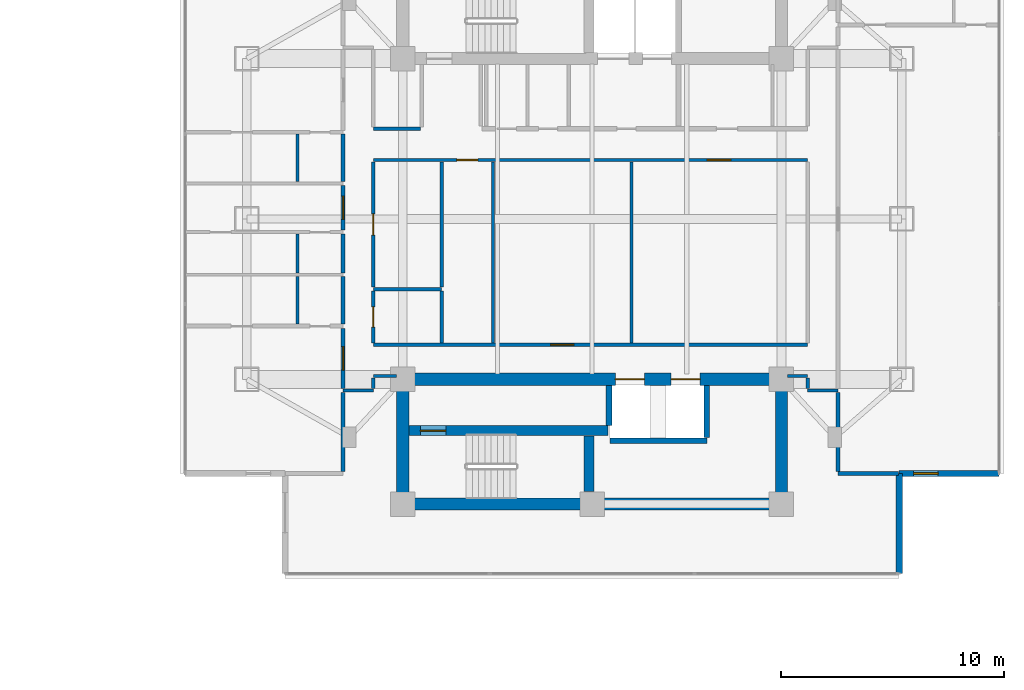
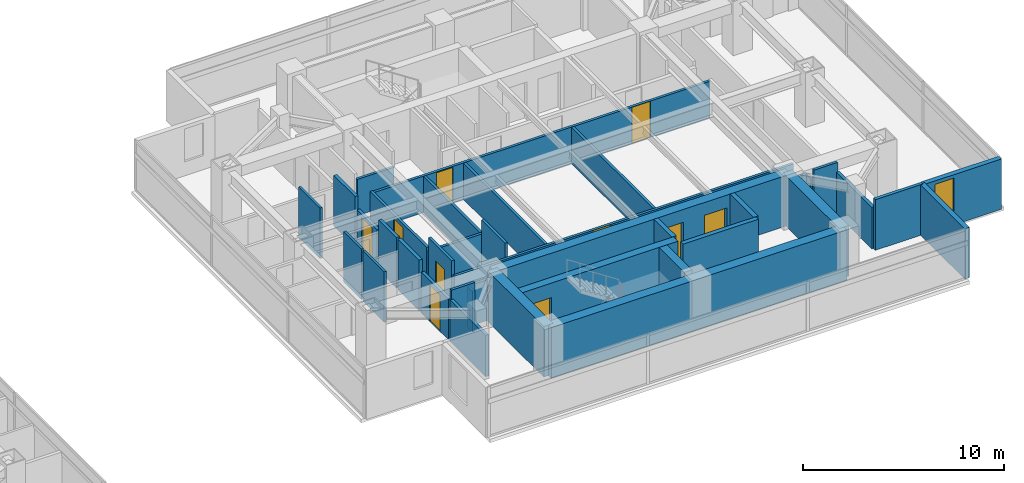
# One storey, part 16 of 24: 38 walls, 10 doors, 1 window, 11 openings.
"""IFC4 building model written with IfcOpenShell, lengths in metres."""

from ifc_helpers import new_model, si_unit, direction, frame, frame_2d, origin, place, context, subcontext, project, spatial, rectangle, extrude, material, layer, layer_set, type_object, element, fill, save


model = new_model("IFC4")

# Units and contexts
model_context = context("Model", 3, precision=1e-05, world=origin(), true_north=direction((0.0, 1.0)))
body_context = subcontext(model_context, "Body", "Model", "MODEL_VIEW")
ifc_project = project(units=[si_unit("LENGTHUNIT", "METRE"), si_unit("AREAUNIT", "SQUARE_METRE"), si_unit("VOLUMEUNIT", "CUBIC_METRE"), si_unit("PLANEANGLEUNIT", "RADIAN"), si_unit("MASSUNIT", "GRAM", prefix="KILO")], contexts=[model_context])

# Site, building, storey
site_placement = place(None, origin())
site = spatial("IfcSite", under=ifc_project, at=site_placement, CompositionType="ELEMENT")
building_placement = place(site_placement, origin())
building = spatial("IfcBuilding", under=site, at=building_placement, Name="Mirazonda Arch Towers", CompositionType="ELEMENT")
storey_placement = place(building_placement, frame((0.0, 0.0, 137.89990234375)))
storey = spatial("IfcBuildingStorey", under=building, at=storey_placement, Name="L39", CompositionType="ELEMENT", Elevation=137.89990234375)

# Wall, opening, door
ifc_material_1 = material(Name="Concrete C50/60", Category="concrete")
ifc_layer_1 = layer(ifc_material_1, 0.449951171875, Name="WALL-CORE-450")
ifc_layer_set_1 = layer_set([ifc_layer_1], Name="Concrete C50/60")
wall_type_1 = type_object("IfcWallType", Name="WALL-CORE-450", PredefinedType="SHEAR", material=ifc_layer_set_1)
wall_1_placement = place(storey_placement, frame((68.27001953125, 18.5, 0.0), z_axis=(0.0, 0.0, 1.0), x_axis=(1.0, 0.0, 0.0)))
wall_1 = element("IfcWall", 1, at=wall_1_placement, inside=storey, type_object=wall_type_1, Name="L39 Stair Core Shear Wall 014", PredefinedType="SHEAR", context=body_context, shape_type="SweptSolid", body=[
    extrude(rectangle(XDim=8.949951171875, YDim=0.449951171875, at=frame_2d((4.47509765625, 0.0))), origin(), (0.0, 0.0, 1.0), 3.080078125),
])
opening_1_placement = place(wall_1_placement, frame((0.52001953125, 0.0, 0.0)))
opening_1 = element("IfcOpeningElement", 2, at=opening_1_placement, cuts=wall_1, Name="Opening DR-135", PredefinedType="OPENING", context=body_context, shape_type="SweptSolid", body=[
    extrude(rectangle(XDim=1.14990234375, YDim=2.199951171875, at=frame_2d((0.574951171875, 1.10009765625))), frame((0.0, 0.23486328125, 0.0), z_axis=(0.0, -1.0, 0.0), x_axis=(1.0, 0.0, 0.0)), (0.0, 0.0, 1.0), 0.469970703125),
])
ifc_material_2 = material(Name="Architectural Brushed Steel S355", Category="steel")
door_type_1 = type_object("IfcDoorType", Name="DOOR-STAIR-FD90-1150", OperationType="NOTDEFINED", PredefinedType="DOOR", material=ifc_material_2)
door_1_placement = place(opening_1_placement, origin())
door_1 = element("IfcDoor", 3, at=door_1_placement, inside=storey, type_object=door_type_1, Name="L39 East Protected Stair South Door", OperationType="SINGLE_SWING_LEFT", OverallHeight=2.199951171875, OverallWidth=1.14990234375, PredefinedType="DOOR", context=body_context, shape_type="SweptSolid", body=[
    extrude(rectangle(XDim=1.14990234375, YDim=2.199951171875, at=frame_2d((0.574951171875, 1.10009765625))), frame((0.0, 0.02490234375, 0.0), z_axis=(0.0, -1.0, 0.0), x_axis=(1.0, 0.0, 0.0)), (0.0, 0.0, 1.0), 0.050048828125),
])
fill(opening_1, door_1)

# Walls
wall_2_placement = place(storey_placement, frame((76.360107421875, 15.764892578125, 0.0), z_axis=(0.0, 0.0, 1.0), x_axis=(0.0, 1.0, 0.0)))
element("IfcWall", 4, at=wall_2_placement, inside=storey, type_object=wall_type_1, Name="L39 Stair Core Shear Wall 147", PredefinedType="SHEAR", context=body_context, shape_type="SweptSolid", body=[
    extrude(rectangle(XDim=2.5, YDim=0.449951171875, at=frame_2d((1.25, 0.0))), origin(), (0.0, 0.0, 1.0), 3.080078125),
])
ifc_layer_2 = layer(ifc_material_1, 0.550048828125, Name="WALL-CORE-550")
ifc_layer_set_2 = layer_set([ifc_layer_2], Name="Concrete C50/60")
wall_type_2 = type_object("IfcWallType", Name="WALL-CORE-550", PredefinedType="SHEAR", material=ifc_layer_set_2)
wall_3_placement = place(storey_placement, frame((68.0, 15.199951171875, 0.0), z_axis=(0.0, 0.0, 1.0), x_axis=(1.0, 0.0, 0.0)))
element("IfcWall", 5, at=wall_3_placement, inside=storey, type_object=wall_type_2, Name="L39 T2S-S Core Shear Wall", PredefinedType="SHEAR", context=body_context, shape_type="SweptSolid", body=[
    extrude(rectangle(XDim=17.0, YDim=0.550048828125, at=frame_2d((8.5, 0.0))), origin(), (0.0, 0.0, 1.0), 3.080078125),
])
for number, where, z_axis, x_axis, name in (
    (6, (68.0, 15.199951171875, 0.0), (0.0, 0.0, 1.0), (0.0, 1.0, 0.0), "L39 T2S-W Core Shear Wall"),
    (7, (85.0, 15.199951171875, 0.0), (0.0, 0.0, 1.0), (0.0, 1.0, 0.0), "L39 T2S-E Core Shear Wall"),
):
    element("IfcWall", number, at=place(storey_placement, frame(where, z_axis=z_axis, x_axis=x_axis)), inside=storey, type_object=wall_type_2, Name=name, PredefinedType="SHEAR", context=body_context, shape_type="SweptSolid", body=[
        extrude(rectangle(XDim=5.60009765625, YDim=0.550048828125, at=frame_2d((2.800048828125, 0.0))), origin(), (0.0, 0.0, 1.0), 3.080078125),
    ])

# Wall, openings, doors
wall_4_placement = place(storey_placement, frame((68.0, 20.800048828125, 0.0), z_axis=(0.0, 0.0, 1.0), x_axis=(1.0, 0.0, 0.0)))
wall_4 = element("IfcWall", 8, at=wall_4_placement, inside=storey, type_object=wall_type_2, Name="L39 T2S-N Core Shear Wall", PredefinedType="SHEAR", context=body_context, shape_type="SweptSolid", body=[
    extrude(rectangle(XDim=17.0, YDim=0.550048828125, at=frame_2d((8.5, 0.0))), origin(), (0.0, 0.0, 1.0), 3.080078125),
])
opening_2_placement = place(wall_4_placement, frame((9.550048828125, 0.0, 0.0)))
opening_2 = element("IfcOpeningElement", 9, at=opening_2_placement, cuts=wall_4, Name="Opening LD-111", PredefinedType="OPENING", context=body_context, shape_type="SweptSolid", body=[
    extrude(rectangle(XDim=1.300048828125, YDim=2.300048828125, at=frame_2d((0.64990234375, 1.14990234375))), frame((0.0, 0.284912109375, 0.0), z_axis=(0.0, -1.0, 0.0), x_axis=(1.0, 0.0, 0.0)), (0.0, 0.0, 1.0), 0.570068359375),
])
opening_3_placement = place(wall_4_placement, frame((12.050048828125, 0.0, 0.0)))
opening_3 = element("IfcOpeningElement", 10, at=opening_3_placement, cuts=wall_4, Name="Opening LD-111", PredefinedType="OPENING", context=body_context, shape_type="SweptSolid", body=[
    extrude(rectangle(XDim=1.300048828125, YDim=2.300048828125, at=frame_2d((0.64990234375, 1.14990234375))), frame((0.0, 0.284912109375, 0.0), z_axis=(0.0, -1.0, 0.0), x_axis=(1.0, 0.0, 0.0)), (0.0, 0.0, 1.0), 0.570068359375),
])
door_type_2 = type_object("IfcDoorType", Name="DOOR-LIFT-LAND-1300", OperationType="NOTDEFINED", PredefinedType="DOOR", material=ifc_material_2)
door_2_placement = place(opening_2_placement, origin())
door_2 = element("IfcDoor", 11, at=door_2_placement, inside=storey, type_object=door_type_2, Name="L39 Lift Landing Sliding Door PL-T2H1", OperationType="DOUBLE_DOOR_SLIDING", OverallHeight=2.300048828125, OverallWidth=1.300048828125, PredefinedType="DOOR", context=body_context, shape_type="SweptSolid", body=[
    extrude(rectangle(XDim=1.300048828125, YDim=2.300048828125, at=frame_2d((0.64990234375, 1.14990234375))), frame((0.0, 0.02490234375, 0.0), z_axis=(0.0, -1.0, 0.0), x_axis=(1.0, 0.0, 0.0)), (0.0, 0.0, 1.0), 0.050048828125),
])
fill(opening_2, door_2)
door_3_placement = place(opening_3_placement, origin())
door_3 = element("IfcDoor", 12, at=door_3_placement, inside=storey, type_object=door_type_2, Name="L39 Lift Landing Sliding Door PL-T2H2", OperationType="DOUBLE_DOOR_SLIDING", OverallHeight=2.300048828125, OverallWidth=1.300048828125, PredefinedType="DOOR", context=body_context, shape_type="SweptSolid", body=[
    extrude(rectangle(XDim=1.300048828125, YDim=2.300048828125, at=frame_2d((0.64990234375, 1.14990234375))), frame((0.0, 0.02490234375, 0.0), z_axis=(0.0, -1.0, 0.0), x_axis=(1.0, 0.0, 0.0)), (0.0, 0.0, 1.0), 0.050048828125),
])
fill(opening_3, door_3)

# Wall, opening, window
ifc_material_3 = material(Name="Precast Concrete C40/50", Category="concrete")
ifc_layer_3 = layer(ifc_material_3, 0.280029296875, Name="WALL-EXT-WALL-280")
ifc_layer_set_3 = layer_set([ifc_layer_3], Name="Precast Concrete C40/50")
wall_type_3 = type_object("IfcWallType", Name="WALL-EXT-WALL-280", PredefinedType="SOLIDWALL", material=ifc_layer_set_3)
wall_5_placement = place(storey_placement, frame((90.28662109375, 16.567626953125, 0.0), z_axis=(0.0, 0.0, 1.0), x_axis=(1.0, 0.0, 0.0)))
wall_5 = element("IfcWall", 13, at=wall_5_placement, inside=storey, type_object=wall_type_3, Name="L39 T2 Corner Notch Return Wall WL-L39-T2-CSE1", PredefinedType="SOLIDWALL", context=body_context, shape_type="SweptSolid", body=[
    extrude(rectangle(XDim=4.486328125, YDim=0.280029296875, at=frame_2d((2.2431640625, 0.0))), origin(), (0.0, 0.0, 1.0), 3.06005859375),
])
opening_4_placement = place(wall_5_placement, frame((0.64990234375, 0.0, 0.85009765625)))
opening_4 = element("IfcOpeningElement", 14, at=opening_4_placement, cuts=wall_5, Name="Opening WN-108", PredefinedType="OPENING", context=body_context, shape_type="SweptSolid", body=[
    extrude(rectangle(XDim=1.10009765625, YDim=2.0, at=frame_2d((0.550048828125, 1.0))), frame((0.0, 0.14990234375, 0.0), z_axis=(0.0, -1.0, 0.0), x_axis=(1.0, 0.0, 0.0)), (0.0, 0.0, 1.0), 0.300048828125),
])
ifc_material_4 = material(Name="Insulated Low-E Solar Glass", Category="glass")
window_type = type_object("IfcWindowType", Name="WIN-NOTCH-1100x2000", PartitioningType="SINGLE_PANEL", PredefinedType="WINDOW", material=ifc_material_4)
window_placement = place(opening_4_placement, origin())
window = element("IfcWindow", 15, at=window_placement, inside=storey, type_object=window_type, Name="L39 Punched Facade Window WN-L39-T2-CSE1", OverallHeight=2.0, OverallWidth=1.10009765625, PartitioningType="SINGLE_PANEL", PredefinedType="WINDOW", context=body_context, shape_type="SweptSolid", body=[
    extrude(rectangle(XDim=1.10009765625, YDim=2.0, at=frame_2d((0.550048828125, 1.0))), frame((0.0, 0.030029296875, 0.0), z_axis=(0.0, -1.0, 0.0), x_axis=(1.0, 0.0, 0.0)), (0.0, 0.0, 1.0), 0.06005859375),
])
fill(opening_4, window)

# Walls
wall_6_placement = place(storey_placement, frame((90.28662109375, 12.081298828125, 0.0), z_axis=(0.0, 0.0, 1.0), x_axis=(0.0, 1.0, 0.0)))
element("IfcWall", 16, at=wall_6_placement, inside=storey, type_object=wall_type_3, Name="L39 T2 Corner Notch Return Wall WL-L39-T2-CSE2", PredefinedType="SOLIDWALL", context=body_context, shape_type="SweptSolid", body=[
    extrude(rectangle(XDim=4.486328125, YDim=0.280029296875, at=frame_2d((2.2431640625, 0.0))), origin(), (0.0, 0.0, 1.0), 3.06005859375),
])
ifc_material_5 = material(Name="Fire-Rated Gypsum Stud Partition")
ifc_layer_4 = layer(ifc_material_5, 0.14990234375, Name="WALL-PART-CORR-150")
ifc_layer_set_4 = layer_set([ifc_layer_4], Name="Fire-Rated Gypsum Stud Partition")
wall_type_4 = type_object("IfcWallType", Name="WALL-PART-CORR-150", PredefinedType="PARTITIONING", material=ifc_layer_set_4)
wall_7_placement = place(storey_placement, frame((65.320068359375, 20.300048828125, 0.0), z_axis=(0.0, 0.0, 1.0), x_axis=(1.0, 0.0, 0.0)))
element("IfcWall", 17, at=wall_7_placement, inside=storey, type_object=wall_type_4, Name="L39 Interior Partition 018", PredefinedType="PARTITIONING", context=body_context, shape_type="SweptSolid", body=[
    extrude(rectangle(XDim=1.35986328125, YDim=0.14990234375, at=frame_2d((0.679931640625, 0.0))), origin(), (0.0, 0.0, 1.0), 3.080078125),
])
wall_8_placement = place(storey_placement, frame((86.179931640625, 20.300048828125, 0.0), z_axis=(0.0, 0.0, 1.0), x_axis=(1.0, 0.0, 0.0)))
element("IfcWall", 18, at=wall_8_placement, inside=storey, type_object=wall_type_4, Name="L39 Interior Partition 019", PredefinedType="PARTITIONING", context=body_context, shape_type="SweptSolid", body=[
    extrude(rectangle(XDim=1.360107421875, YDim=0.14990234375, at=frame_2d((0.68017578125, 0.0))), origin(), (0.0, 0.0, 1.0), 3.080078125),
])
wall_9_placement = place(storey_placement, frame((66.679931640625, 20.949951171875, 0.0), z_axis=(0.0, 0.0, 1.0), x_axis=(1.0, 0.0, 0.0)))
element("IfcWall", 19, at=wall_9_placement, inside=storey, type_object=wall_type_4, Name="L39 Interior Partition 020", PredefinedType="PARTITIONING", context=body_context, shape_type="SweptSolid", body=[
    extrude(rectangle(XDim=1.050048828125, YDim=0.14990234375, at=frame_2d((0.52490234375, 0.0))), origin(), (0.0, 0.0, 1.0), 2.47216796875),
])
wall_10_placement = place(storey_placement, frame((85.27001953125, 20.949951171875, 0.0), z_axis=(0.0, 0.0, 1.0), x_axis=(1.0, 0.0, 0.0)))
element("IfcWall", 20, at=wall_10_placement, inside=storey, type_object=wall_type_4, Name="L39 Interior Partition 021", PredefinedType="PARTITIONING", context=body_context, shape_type="SweptSolid", body=[
    extrude(rectangle(XDim=0.909912109375, YDim=0.14990234375, at=frame_2d((0.455078125, 0.0))), origin(), (0.0, 0.0, 1.0), 2.47216796875),
])

# Wall, opening, door
wall_11_placement = place(storey_placement, frame((66.679931640625, 22.35009765625, 0.0), z_axis=(0.0, 0.0, 1.0), x_axis=(1.0, 0.0, 0.0)))
wall_11 = element("IfcWall", 21, at=wall_11_placement, inside=storey, type_object=wall_type_4, Name="L39 Interior Partition 023", PredefinedType="PARTITIONING", context=body_context, shape_type="SweptSolid", body=[
    extrude(rectangle(XDim=19.5, YDim=0.14990234375, at=frame_2d((9.75, 0.0))), origin(), (0.0, 0.0, 1.0), 2.216064453125),
])
opening_5_placement = place(wall_11_placement, frame((7.95361328125, 0.0, 0.0)))
opening_5 = element("IfcOpeningElement", 22, at=opening_5_placement, cuts=wall_11, Name="Opening DR-121", PredefinedType="OPENING", context=body_context, shape_type="SweptSolid", body=[
    extrude(rectangle(XDim=1.050048828125, YDim=2.199951171875, at=frame_2d((0.52490234375, 1.10009765625))), frame((0.0, 0.0849609375, 0.0), z_axis=(0.0, -1.0, 0.0), x_axis=(1.0, 0.0, 0.0)), (0.0, 0.0, 1.0), 0.169921875),
])
door_type_3 = type_object("IfcDoorType", Name="DOOR-SUITE-FD60-1050", OperationType="NOTDEFINED", PredefinedType="DOOR", material=ifc_material_2)
door_4_placement = place(opening_5_placement, origin())
door_4 = element("IfcDoor", 23, at=door_4_placement, inside=storey, type_object=door_type_3, Name="L39 Executive Club Lounge Door", OperationType="SINGLE_SWING_LEFT", OverallHeight=2.199951171875, OverallWidth=1.050048828125, PredefinedType="DOOR", context=body_context, shape_type="SweptSolid", body=[
    extrude(rectangle(XDim=1.050048828125, YDim=2.199951171875, at=frame_2d((0.52490234375, 1.10009765625))), frame((0.0, 0.02490234375, 0.0), z_axis=(0.0, -1.0, 0.0), x_axis=(1.0, 0.0, 0.0)), (0.0, 0.0, 1.0), 0.050048828125),
])
fill(opening_5, door_4)

# Wall
wall_12_placement = place(storey_placement, frame((66.679931640625, 24.85009765625, 0.0), z_axis=(0.0, 0.0, 1.0), x_axis=(1.0, 0.0, 0.0)))
element("IfcWall", 24, at=wall_12_placement, inside=storey, type_object=wall_type_4, Name="L39 Interior Partition 027", PredefinedType="PARTITIONING", context=body_context, shape_type="SweptSolid", body=[
    extrude(rectangle(XDim=3.070068359375, YDim=0.14990234375, at=frame_2d((1.53515625, 0.0))), origin(), (0.0, 0.0, 1.0), 2.216064453125),
])

# Wall, openings, doors
wall_13_placement = place(storey_placement, frame((66.679931640625, 30.64990234375, 0.0), z_axis=(0.0, 0.0, 1.0), x_axis=(1.0, 0.0, 0.0)))
wall_13 = element("IfcWall", 25, at=wall_13_placement, inside=storey, type_object=wall_type_4, Name="L39 Interior Partition 038", PredefinedType="PARTITIONING", context=body_context, shape_type="SweptSolid", body=[
    extrude(rectangle(XDim=19.5, YDim=0.14990234375, at=frame_2d((9.75, 0.0))), origin(), (0.0, 0.0, 1.0), 2.216064453125),
])
opening_6_placement = place(wall_13_placement, frame((3.7451171875, 0.0, 0.0)))
opening_6 = element("IfcOpeningElement", 26, at=opening_6_placement, cuts=wall_13, Name="Opening DR-104", PredefinedType="OPENING", context=body_context, shape_type="SweptSolid", body=[
    extrude(rectangle(XDim=0.949951171875, YDim=2.14990234375, at=frame_2d((0.47509765625, 1.074951171875))), frame((0.0, 0.0849609375, 0.0), z_axis=(0.0, -1.0, 0.0), x_axis=(1.0, 0.0, 0.0)), (0.0, 0.0, 1.0), 0.169921875),
])
opening_7_placement = place(wall_13_placement, frame((14.99853515625, 0.0, 0.0)))
opening_7 = element("IfcOpeningElement", 27, at=opening_7_placement, cuts=wall_13, Name="Opening DR-121", PredefinedType="OPENING", context=body_context, shape_type="SweptSolid", body=[
    extrude(rectangle(XDim=1.050048828125, YDim=2.199951171875, at=frame_2d((0.52490234375, 1.10009765625))), frame((0.0, 0.0849609375, 0.0), z_axis=(0.0, -1.0, 0.0), x_axis=(1.0, 0.0, 0.0)), (0.0, 0.0, 1.0), 0.169921875),
])
door_type_4 = type_object("IfcDoorType", Name="DOOR-ROOM-950", OperationType="NOTDEFINED", PredefinedType="DOOR", material=ifc_material_2)
door_5_placement = place(opening_6_placement, origin())
door_5 = element("IfcDoor", 28, at=door_5_placement, inside=storey, type_object=door_type_4, Name="L39 L39 East Courtyard Study Door", OperationType="SINGLE_SWING_RIGHT", OverallHeight=2.14990234375, OverallWidth=0.949951171875, PredefinedType="DOOR", context=body_context, shape_type="SweptSolid", body=[
    extrude(rectangle(XDim=0.949951171875, YDim=2.14990234375, at=frame_2d((0.47509765625, 1.074951171875))), frame((0.0, 0.02490234375, 0.0), z_axis=(0.0, -1.0, 0.0), x_axis=(1.0, 0.0, 0.0)), (0.0, 0.0, 1.0), 0.050048828125),
])
fill(opening_6, door_5)
door_6_placement = place(opening_7_placement, origin())
door_6 = element("IfcDoor", 29, at=door_6_placement, inside=storey, type_object=door_type_3, Name="L39 Business Reading Study Door", OperationType="SINGLE_SWING_RIGHT", OverallHeight=2.199951171875, OverallWidth=1.050048828125, PredefinedType="DOOR", context=body_context, shape_type="SweptSolid", body=[
    extrude(rectangle(XDim=1.050048828125, YDim=2.199951171875, at=frame_2d((0.52490234375, 1.10009765625))), frame((0.0, 0.02490234375, 0.0), z_axis=(0.0, -1.0, 0.0), x_axis=(1.0, 0.0, 0.0)), (0.0, 0.0, 1.0), 0.050048828125),
])
fill(opening_7, door_6)

# Walls
wall_14_placement = place(storey_placement, frame((66.679931640625, 32.050048828125, 0.0), z_axis=(0.0, 0.0, 1.0), x_axis=(1.0, 0.0, 0.0)))
element("IfcWall", 30, at=wall_14_placement, inside=storey, type_object=wall_type_4, Name="L39 Interior Partition 042", PredefinedType="PARTITIONING", context=body_context, shape_type="SweptSolid", body=[
    extrude(rectangle(XDim=2.1201171875, YDim=0.14990234375, at=frame_2d((1.06005859375, 0.0))), origin(), (0.0, 0.0, 1.0), 2.216064453125),
])
wall_15_placement = place(storey_placement, frame((66.679931640625, 20.385009765625, 0.0), z_axis=(0.0, 0.0, 1.0), x_axis=(0.0, 1.0, 0.0)))
element("IfcWall", 31, at=wall_15_placement, inside=storey, type_object=wall_type_4, Name="L39 Interior Partition 135", PredefinedType="PARTITIONING", context=body_context, shape_type="SweptSolid", body=[
    extrude(rectangle(XDim=0.47998046875, YDim=0.14990234375, at=frame_2d((0.239990234375, 0.0))), origin(), (0.0, 0.0, 1.0), 2.47216796875),
])

# Wall, opening, door
wall_16_placement = place(storey_placement, frame((66.679931640625, 22.43505859375, 0.0), z_axis=(0.0, 0.0, 1.0), x_axis=(0.0, 1.0, 0.0)))
wall_16 = element("IfcWall", 32, at=wall_16_placement, inside=storey, type_object=wall_type_4, Name="L39 Interior Partition 136", PredefinedType="PARTITIONING", context=body_context, shape_type="SweptSolid", body=[
    extrude(rectangle(XDim=2.329833984375, YDim=0.14990234375, at=frame_2d((1.1650390625, 0.0))), origin(), (0.0, 0.0, 1.0), 3.080078125),
])
opening_8_placement = place(wall_16_placement, frame((0.715087890625, 0.0, 0.0)))
opening_8 = element("IfcOpeningElement", 33, at=opening_8_placement, cuts=wall_16, Name="Opening DR-120", PredefinedType="OPENING", context=body_context, shape_type="SweptSolid", body=[
    extrude(rectangle(XDim=0.89990234375, YDim=2.10009765625, at=frame_2d((0.449951171875, 1.050048828125))), frame((0.0, 0.0849609375, 0.0), z_axis=(0.0, -1.0, 0.0), x_axis=(1.0, 0.0, 0.0)), (0.0, 0.0, 1.0), 0.169921875),
])
door_type_5 = type_object("IfcDoorType", Name="DOOR-WC-900", OperationType="NOTDEFINED", PredefinedType="DOOR", material=ifc_material_2)
door_7_placement = place(opening_8_placement, origin())
door_7 = element("IfcDoor", 34, at=door_7_placement, inside=storey, type_object=door_type_5, Name="L39 Tower 2 Common Accessible WC Door", OperationType="SINGLE_SWING_RIGHT", OverallHeight=2.10009765625, OverallWidth=0.89990234375, PredefinedType="DOOR", context=body_context, shape_type="SweptSolid", body=[
    extrude(rectangle(XDim=0.89990234375, YDim=2.10009765625, at=frame_2d((0.449951171875, 1.050048828125))), frame((0.0, 0.02490234375, 0.0), z_axis=(0.0, -1.0, 0.0), x_axis=(1.0, 0.0, 0.0)), (0.0, 0.0, 1.0), 0.050048828125),
])
fill(opening_8, door_7)

wall_17_placement = place(storey_placement, frame((66.679931640625, 24.93505859375, 0.0), z_axis=(0.0, 0.0, 1.0), x_axis=(0.0, 1.0, 0.0)))
wall_17 = element("IfcWall", 35, at=wall_17_placement, inside=storey, type_object=wall_type_4, Name="L39 Interior Partition 137", PredefinedType="PARTITIONING", context=body_context, shape_type="SweptSolid", body=[
    extrude(rectangle(XDim=5.6298828125, YDim=0.14990234375, at=frame_2d((2.81494140625, 0.0))), origin(), (0.0, 0.0, 1.0), 2.3759765625),
])
opening_9_placement = place(wall_17_placement, frame((2.340087890625, 0.0, 0.0)))
opening_9 = element("IfcOpeningElement", 36, at=opening_9_placement, cuts=wall_17, Name="Opening DR-104", PredefinedType="OPENING", context=body_context, shape_type="SweptSolid", body=[
    extrude(rectangle(XDim=0.949951171875, YDim=2.14990234375, at=frame_2d((0.47509765625, 1.074951171875))), frame((0.0, 0.0849609375, 0.0), z_axis=(0.0, -1.0, 0.0), x_axis=(1.0, 0.0, 0.0)), (0.0, 0.0, 1.0), 0.169921875),
])
door_8_placement = place(opening_9_placement, origin())
door_8 = element("IfcDoor", 37, at=door_8_placement, inside=storey, type_object=door_type_4, Name="L39 L39 East Courtyard Reading Study Door", OperationType="SINGLE_SWING_LEFT", OverallHeight=2.14990234375, OverallWidth=0.949951171875, PredefinedType="DOOR", context=body_context, shape_type="SweptSolid", body=[
    extrude(rectangle(XDim=0.949951171875, YDim=2.14990234375, at=frame_2d((0.47509765625, 1.074951171875))), frame((0.0, 0.02490234375, 0.0), z_axis=(0.0, -1.0, 0.0), x_axis=(1.0, 0.0, 0.0)), (0.0, 0.0, 1.0), 0.050048828125),
])
fill(opening_9, door_8)

# Walls
wall_18_placement = place(storey_placement, frame((69.743408203125, 22.43505859375, 0.0), z_axis=(0.0, 0.0, 1.0), x_axis=(0.0, 1.0, 0.0)))
element("IfcWall", 38, at=wall_18_placement, inside=storey, type_object=wall_type_4, Name="L39 Interior Partition 140", PredefinedType="PARTITIONING", context=body_context, shape_type="SweptSolid", body=[
    extrude(rectangle(XDim=2.329833984375, YDim=0.14990234375, at=frame_2d((1.1650390625, 0.0))), origin(), (0.0, 0.0, 1.0), 3.080078125),
])
wall_19_placement = place(storey_placement, frame((69.743408203125, 24.93505859375, 0.0), z_axis=(0.0, 0.0, 1.0), x_axis=(0.0, 1.0, 0.0)))
element("IfcWall", 39, at=wall_19_placement, inside=storey, type_object=wall_type_4, Name="L39 Interior Partition 141", PredefinedType="PARTITIONING", context=body_context, shape_type="SweptSolid", body=[
    extrude(rectangle(XDim=5.6298828125, YDim=0.14990234375, at=frame_2d((2.81494140625, 0.0))), origin(), (0.0, 0.0, 1.0), 2.216064453125),
])
for number, where, z_axis, x_axis, name in (
    (40, (72.050048828125, 22.43505859375, 0.0), (0.0, 0.0, 1.0), (0.0, 1.0, 0.0), "L39 Interior Partition 144"),
    (41, (78.26708984375, 22.43505859375, 0.0), (0.0, 0.0, 1.0), (0.0, 1.0, 0.0), "L39 Interior Partition 150"),
):
    element("IfcWall", number, at=place(storey_placement, frame(where, z_axis=z_axis, x_axis=x_axis)), inside=storey, type_object=wall_type_4, Name=name, PredefinedType="PARTITIONING", context=body_context, shape_type="SweptSolid", body=[
        extrude(rectangle(XDim=8.1298828125, YDim=0.14990234375, at=frame_2d((4.06494140625, 0.0))), origin(), (0.0, 0.0, 1.0), 2.216064453125),
    ])
wall_20_placement = place(storey_placement, frame((86.179931640625, 20.385009765625, 0.0), z_axis=(0.0, 0.0, 1.0), x_axis=(0.0, 1.0, 0.0)))
element("IfcWall", 42, at=wall_20_placement, inside=storey, type_object=wall_type_4, Name="L39 Interior Partition 156", PredefinedType="PARTITIONING", context=body_context, shape_type="SweptSolid", body=[
    extrude(rectangle(XDim=0.47998046875, YDim=0.14990234375, at=frame_2d((0.239990234375, 0.0))), origin(), (0.0, 0.0, 1.0), 2.47216796875),
])
ifc_material_6 = material(Name="Fire-Rated Gypsum Twin-Stud Assembly")
ifc_layer_5 = layer(ifc_material_6, 0.179931640625, Name="WALL-PART-DEMISE-180")
ifc_layer_set_5 = layer_set([ifc_layer_5], Name="Fire-Rated Gypsum Twin-Stud Assembly")
wall_type_5 = type_object("IfcWallType", Name="WALL-PART-DEMISE-180", PredefinedType="PARTITIONING", material=ifc_layer_set_5)
wall_21_placement = place(storey_placement, frame((87.5400390625, 16.568115234375, 0.0), z_axis=(0.0, 0.0, 1.0), x_axis=(1.0, 0.0, 0.0)))
element("IfcWall", 43, at=wall_21_placement, inside=storey, type_object=wall_type_5, Name="L39 Interior Partition 010", PredefinedType="PARTITIONING", context=body_context, shape_type="SweptSolid", body=[
    extrude(rectangle(XDim=2.7265625, YDim=0.179931640625, at=frame_2d((1.36328125, 0.0))), origin(), (0.0, 0.0, 1.0), 3.080078125),
])
wall_22_placement = place(storey_placement, frame((65.320068359375, 16.66796875, 0.0), z_axis=(0.0, 0.0, 1.0), x_axis=(0.0, 1.0, 0.0)))
element("IfcWall", 44, at=wall_22_placement, inside=storey, type_object=wall_type_5, Name="L39 Interior Partition 127", PredefinedType="PARTITIONING", context=body_context, shape_type="SweptSolid", body=[
    extrude(rectangle(XDim=3.547119140625, YDim=0.179931640625, at=frame_2d((1.7734375, 0.0))), origin(), (0.0, 0.0, 1.0), 2.523193359375),
])

# Wall, opening, door
wall_23_placement = place(storey_placement, frame((65.320068359375, 20.385009765625, 0.0), z_axis=(0.0, 0.0, 1.0), x_axis=(0.0, 1.0, 0.0)))
wall_23 = element("IfcWall", 45, at=wall_23_placement, inside=storey, type_object=wall_type_5, Name="L39 Interior Partition 128", PredefinedType="PARTITIONING", context=body_context, shape_type="SweptSolid", body=[
    extrude(rectangle(XDim=2.70703125, YDim=0.179931640625, at=frame_2d((1.353515625, 0.0))), origin(), (0.0, 0.0, 1.0), 2.47216796875),
])
opening_10_placement = place(wall_23_placement, frame((0.82861328125, 0.0, 0.0)))
opening_10 = element("IfcOpeningElement", 46, at=opening_10_placement, cuts=wall_23, Name="Opening DR-121", PredefinedType="OPENING", context=body_context, shape_type="SweptSolid", body=[
    extrude(rectangle(XDim=1.050048828125, YDim=2.199951171875, at=frame_2d((0.52490234375, 1.10009765625))), frame((0.0, 0.099853515625, 0.0), z_axis=(0.0, -1.0, 0.0), x_axis=(1.0, 0.0, 0.0)), (0.0, 0.0, 1.0), 0.199951171875),
])
door_9_placement = place(opening_10_placement, origin())
door_9 = element("IfcDoor", 47, at=door_9_placement, inside=storey, type_object=door_type_3, Name="L39 King Hotel Guestroom 1 Door", OperationType="SINGLE_SWING_LEFT", OverallHeight=2.199951171875, OverallWidth=1.050048828125, PredefinedType="DOOR", context=body_context, shape_type="SweptSolid", body=[
    extrude(rectangle(XDim=1.050048828125, YDim=2.199951171875, at=frame_2d((0.52490234375, 1.10009765625))), frame((0.0, 0.02490234375, 0.0), z_axis=(0.0, -1.0, 0.0), x_axis=(1.0, 0.0, 0.0)), (0.0, 0.0, 1.0), 0.050048828125),
])
fill(opening_10, door_9)

# Walls
wall_24_placement = place(storey_placement, frame((65.320068359375, 23.2919921875, 0.0), z_axis=(0.0, 0.0, 1.0), x_axis=(0.0, 1.0, 0.0)))
element("IfcWall", 48, at=wall_24_placement, inside=storey, type_object=wall_type_5, Name="L39 Interior Partition 129", PredefinedType="PARTITIONING", context=body_context, shape_type="SweptSolid", body=[
    extrude(rectangle(XDim=2.12744140625, YDim=0.179931640625, at=frame_2d((1.063720703125, 0.0))), origin(), (0.0, 0.0, 1.0), 3.080078125),
])
wall_25_placement = place(storey_placement, frame((65.320068359375, 25.564453125, 0.0), z_axis=(0.0, 0.0, 1.0), x_axis=(0.0, 1.0, 0.0)))
element("IfcWall", 49, at=wall_25_placement, inside=storey, type_object=wall_type_5, Name="L39 Interior Partition 130", PredefinedType="PARTITIONING", context=body_context, shape_type="SweptSolid", body=[
    extrude(rectangle(XDim=1.762451171875, YDim=0.179931640625, at=frame_2d((0.88134765625, 0.0))), origin(), (0.0, 0.0, 1.0), 3.080078125),
])

# Wall, opening, door
wall_26_placement = place(storey_placement, frame((65.320068359375, 27.4970703125, 0.0), z_axis=(0.0, 0.0, 1.0), x_axis=(0.0, 1.0, 0.0)))
wall_26 = element("IfcWall", 50, at=wall_26_placement, inside=storey, type_object=wall_type_5, Name="L39 Interior Partition 131", PredefinedType="PARTITIONING", context=body_context, shape_type="SweptSolid", body=[
    extrude(rectangle(XDim=2.013916015625, YDim=0.179931640625, at=frame_2d((1.0068359375, 0.0))), origin(), (0.0, 0.0, 1.0), 2.3759765625),
])
opening_11_placement = place(wall_26_placement, frame((0.48193359375, 0.0, 0.0)))
opening_11 = element("IfcOpeningElement", 51, at=opening_11_placement, cuts=wall_26, Name="Opening DR-121", PredefinedType="OPENING", context=body_context, shape_type="SweptSolid", body=[
    extrude(rectangle(XDim=1.050048828125, YDim=2.199951171875, at=frame_2d((0.52490234375, 1.10009765625))), frame((0.0, 0.099853515625, 0.0), z_axis=(0.0, -1.0, 0.0), x_axis=(1.0, 0.0, 0.0)), (0.0, 0.0, 1.0), 0.199951171875),
])
door_10_placement = place(opening_11_placement, origin())
door_10 = element("IfcDoor", 52, at=door_10_placement, inside=storey, type_object=door_type_3, Name="L39 Twin Hotel Guestroom 2 Door", OperationType="SINGLE_SWING_RIGHT", OverallHeight=2.199951171875, OverallWidth=1.050048828125, PredefinedType="DOOR", context=body_context, shape_type="SweptSolid", body=[
    extrude(rectangle(XDim=1.050048828125, YDim=2.199951171875, at=frame_2d((0.52490234375, 1.10009765625))), frame((0.0, 0.02490234375, 0.0), z_axis=(0.0, -1.0, 0.0), x_axis=(1.0, 0.0, 0.0)), (0.0, 0.0, 1.0), 0.050048828125),
])
fill(opening_11, door_10)

# Walls
wall_27_placement = place(storey_placement, frame((65.320068359375, 29.680908203125, 0.0), z_axis=(0.0, 0.0, 1.0), x_axis=(0.0, 1.0, 0.0)))
element("IfcWall", 53, at=wall_27_placement, inside=storey, type_object=wall_type_5, Name="L39 Interior Partition 132", PredefinedType="PARTITIONING", context=body_context, shape_type="SweptSolid", body=[
    extrude(rectangle(XDim=2.130126953125, YDim=0.179931640625, at=frame_2d((1.06494140625, 0.0))), origin(), (0.0, 0.0, 1.0), 3.080078125),
])
wall_28_placement = place(storey_placement, frame((87.5400390625, 16.66796875, 0.0), z_axis=(0.0, 0.0, 1.0), x_axis=(0.0, 1.0, 0.0)))
element("IfcWall", 54, at=wall_28_placement, inside=storey, type_object=wall_type_5, Name="L39 Interior Partition 159", PredefinedType="PARTITIONING", context=body_context, shape_type="SweptSolid", body=[
    extrude(rectangle(XDim=3.547119140625, YDim=0.179931640625, at=frame_2d((1.7734375, 0.0))), origin(), (0.0, 0.0, 1.0), 2.523193359375),
])
ifc_material_7 = material(Name="Acoustic Fire-Rated Gypsum Partition")
ifc_layer_6 = layer(ifc_material_7, 0.125, Name="WALL-PART-UNIT-125")
ifc_layer_set_6 = layer_set([ifc_layer_6], Name="Acoustic Fire-Rated Gypsum Partition")
wall_type_6 = type_object("IfcWallType", Name="WALL-PART-UNIT-125", PredefinedType="PARTITIONING", material=ifc_layer_set_6)
wall_29_placement = place(storey_placement, frame((63.280029296875, 23.2919921875, 0.0), z_axis=(0.0, 0.0, 1.0), x_axis=(0.0, 1.0, 0.0)))
element("IfcWall", 55, at=wall_29_placement, inside=storey, type_object=wall_type_6, Name="L39 Interior Partition 124", PredefinedType="PARTITIONING", context=body_context, shape_type="SweptSolid", body=[
    extrude(rectangle(XDim=2.12744140625, YDim=0.125, at=frame_2d((1.063720703125, 0.0))), origin(), (0.0, 0.0, 1.0), 3.080078125),
])
wall_30_placement = place(storey_placement, frame((63.280029296875, 25.564453125, 0.0), z_axis=(0.0, 0.0, 1.0), x_axis=(0.0, 1.0, 0.0)))
element("IfcWall", 56, at=wall_30_placement, inside=storey, type_object=wall_type_6, Name="L39 Interior Partition 125", PredefinedType="PARTITIONING", context=body_context, shape_type="SweptSolid", body=[
    extrude(rectangle(XDim=1.762451171875, YDim=0.125, at=frame_2d((0.88134765625, 0.0))), origin(), (0.0, 0.0, 1.0), 3.080078125),
])
wall_31_placement = place(storey_placement, frame((63.280029296875, 29.680908203125, 0.0), z_axis=(0.0, 0.0, 1.0), x_axis=(0.0, 1.0, 0.0)))
element("IfcWall", 57, at=wall_31_placement, inside=storey, type_object=wall_type_6, Name="L39 Interior Partition 126", PredefinedType="PARTITIONING", context=body_context, shape_type="SweptSolid", body=[
    extrude(rectangle(XDim=2.130126953125, YDim=0.125, at=frame_2d((1.06494140625, 0.0))), origin(), (0.0, 0.0, 1.0), 3.080078125),
])
ifc_material_8 = material(Name="Concrete C40/50", Category="concrete")
ifc_layer_7 = layer(ifc_material_8, 0.25, Name="WALL-SHAFT-250")
ifc_layer_set_7 = layer_set([ifc_layer_7], Name="Concrete C40/50")
wall_type_7 = type_object("IfcWallType", Name="WALL-SHAFT-250", PredefinedType="SOLIDWALL", material=ifc_layer_set_7)
wall_32_placement = place(storey_placement, frame((77.300048828125, 18.050048828125, 0.0), z_axis=(0.0, 0.0, 1.0), x_axis=(1.0, 0.0, 0.0)))
element("IfcWall", 58, at=wall_32_placement, inside=storey, type_object=wall_type_7, Name="L39 Interior Partition 011", PredefinedType="SOLIDWALL", context=body_context, shape_type="SweptSolid", body=[
    extrude(rectangle(XDim=4.349853515625, YDim=0.25, at=frame_2d((2.1748046875, 0.0))), origin(), (0.0, 0.0, 1.0), 3.080078125),
])
wall_33_placement = place(storey_placement, frame((77.260009765625, 18.735107421875, 0.0), z_axis=(0.0, 0.0, 1.0), x_axis=(0.0, 1.0, 0.0)))
element("IfcWall", 59, at=wall_33_placement, inside=storey, type_object=wall_type_7, Name="L39 Interior Partition 149", PredefinedType="SOLIDWALL", context=body_context, shape_type="SweptSolid", body=[
    extrude(rectangle(XDim=1.794921875, YDim=0.25, at=frame_2d((0.8974609375, 0.0))), origin(), (0.0, 0.0, 1.0), 3.080078125),
])
wall_34_placement = place(storey_placement, frame((81.64990234375, 18.18505859375, 0.0), z_axis=(0.0, 0.0, 1.0), x_axis=(0.0, 1.0, 0.0)))
element("IfcWall", 60, at=wall_34_placement, inside=storey, type_object=wall_type_7, Name="L39 Interior Partition 154", PredefinedType="SOLIDWALL", context=body_context, shape_type="SweptSolid", body=[
    extrude(rectangle(XDim=2.344970703125, YDim=0.25, at=frame_2d((1.17236328125, 0.0))), origin(), (0.0, 0.0, 1.0), 3.080078125),
])

save(model, "model.ifc")
